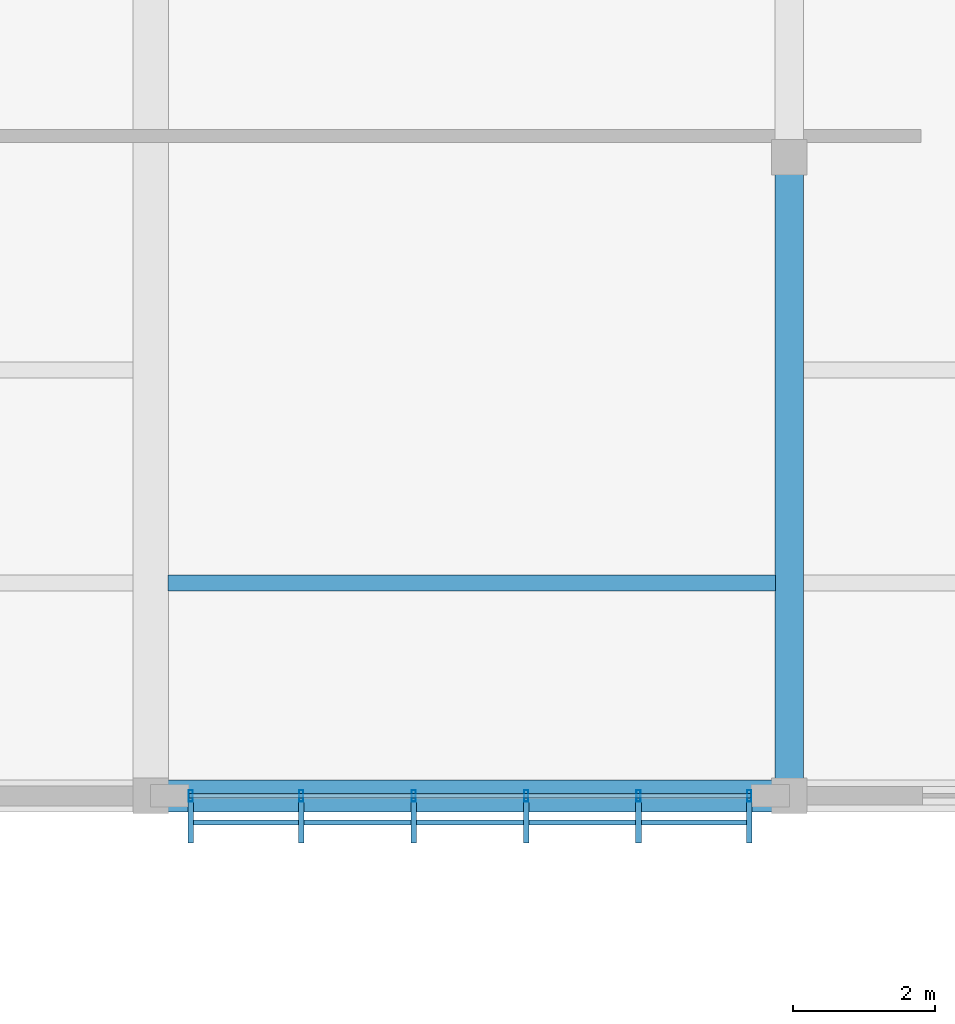
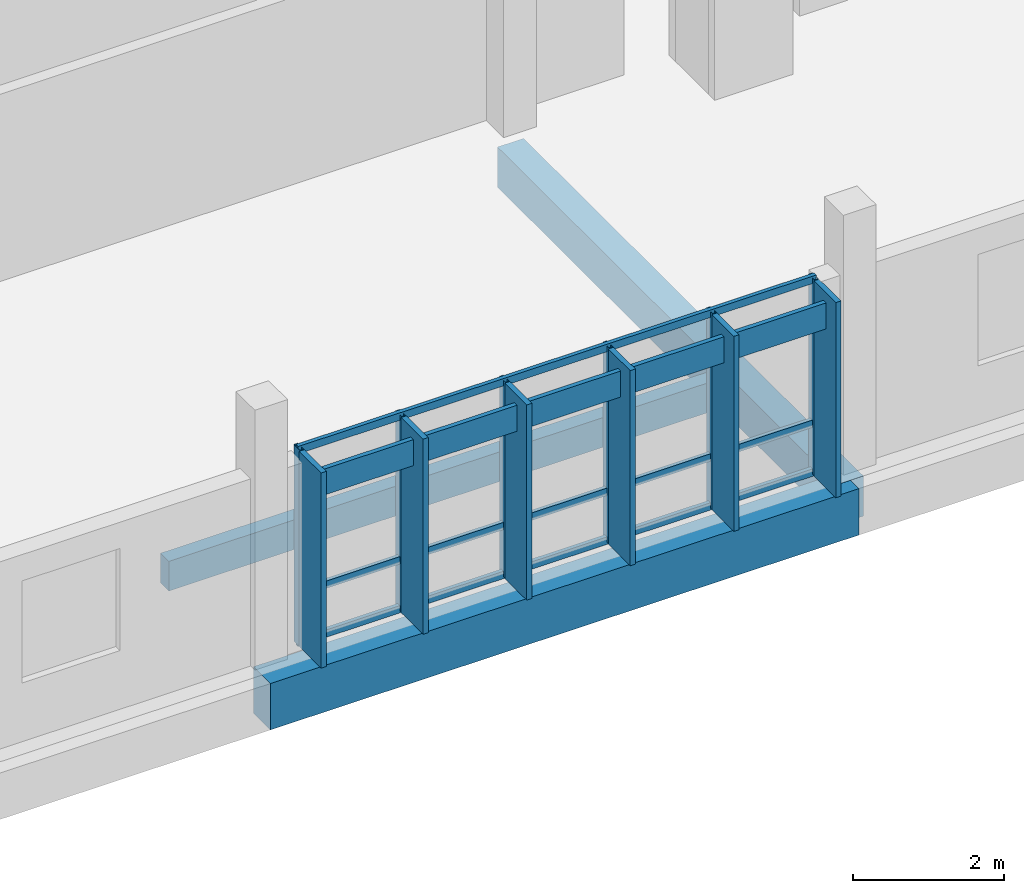
# One storey, part 85 of 182: 16 members, 3 beams, 1 element without a shape of its own.
"""IFC4 building model written with IfcOpenShell, lengths in metres."""

from ifc_helpers import new_model, si_unit, direction, frame, origin, origin_2d, place, context, subcontext, project, spatial, rectangle, hollow_rectangle, extrude, material, material_profile, profile_set, type_object, element, aggregate, save


model = new_model("IFC4")

# Units and contexts
model_context = context("Model", 3, precision=1e-05, world=origin(), true_north=direction((0.0, 1.0)))
body_context = subcontext(model_context, "Body", "Model", "MODEL_VIEW")
ifc_project = project(units=[si_unit("LENGTHUNIT", "METRE"), si_unit("AREAUNIT", "SQUARE_METRE"), si_unit("VOLUMEUNIT", "CUBIC_METRE"), si_unit("PLANEANGLEUNIT", "RADIAN"), si_unit("MASSUNIT", "GRAM", prefix="KILO")], contexts=[model_context])

# Site, building, storey
site_placement = place(None, origin())
site = spatial("IfcSite", under=ifc_project, at=site_placement, CompositionType="ELEMENT")
building_placement = place(site_placement, origin())
building = spatial("IfcBuilding", under=site, at=building_placement, Name="Chiffa Square Polytechnic", CompositionType="ELEMENT")
storey_placement = place(building_placement, frame((0.0, 0.0, 9.60009765625)))
storey = spatial("IfcBuildingStorey", under=building, at=storey_placement, Name="L02", CompositionType="ELEMENT", Elevation=9.60009765625)

# Beams
ifc_material_1 = material(Name="Concrete C35/45", Category="concrete")
ifc_material_profile_1 = material_profile(ifc_material_1, rectangle(XDim=0.39990234375, YDim=0.64990234375, at=origin_2d()), Name="RC 400x650")
ifc_profile_set_1 = profile_set([ifc_material_profile_1], Name="Concrete C35/45")
beam_type_1 = type_object("IfcBeamType", Name="BM-RC-400X650", PredefinedType="BEAM", material=ifc_profile_set_1)
beam_1_placement = place(storey_placement, frame((75.60009765625, 103.800048828125, -0.64501953125), z_axis=(0.0, 1.0, 0.0), x_axis=(-1.0, 0.0, 0.0)))
element("IfcBeam", 1, at=beam_1_placement, inside=storey, type_object=beam_type_1, Name="Primary floor girder BM-V5-L02-Y-0756-1038", PredefinedType="BEAM", context=body_context, shape_type="SweptSolid", body=[
    extrude(rectangle(XDim=0.39990234375, YDim=0.64990234375, at=origin_2d()), origin(), (0.0, 0.0, 1.0), 9.0),
])
ifc_material_profile_2 = material_profile(ifc_material_1, rectangle(XDim=0.449951171875, YDim=0.75, at=origin_2d()), Name="RC 450x750")
ifc_profile_set_2 = profile_set([ifc_material_profile_2], Name="Concrete C35/45")
beam_type_2 = type_object("IfcBeamType", Name="BM-RC-450X750", PredefinedType="BEAM", material=ifc_profile_set_2)
beam_2_placement = place(storey_placement, frame((66.60009765625, 103.800048828125, -0.695068359375), z_axis=(1.0, 0.0, 0.0), x_axis=(0.0, 1.0, 0.0)))
element("IfcBeam", 2, at=beam_2_placement, inside=storey, type_object=beam_type_2, Name="Primary floor girder BM-V5-L02-X-0666-1038", PredefinedType="BEAM", context=body_context, shape_type="SweptSolid", body=[
    extrude(rectangle(XDim=0.449951171875, YDim=0.75, at=origin_2d()), origin(), (0.0, 0.0, 1.0), 9.0),
])

# Curtain wall, members
ifc_material_2 = material(Name="Aluminium EN AW-6060 T66 and glulam shading", Category="wood")
curtain_wall_type = type_object("IfcCurtainWallType", Name="CW-VERT-360X380", PredefinedType="USERDEFINED", material=ifc_material_2)
curtain_wall_placement = place(storey_placement, origin())
curtain_wall = element("IfcCurtainWall", 3, at=curtain_wall_placement, inside=storey, type_object=curtain_wall_type, Name="Curtain wall CW-V5-L02-213", ObjectType="CURTAIN WALL", PredefinedType="USERDEFINED")
ifc_material_3 = material(Name="Aluminium EN AW-6060 T66", Category="aluminium")
ifc_material_profile_3 = material_profile(ifc_material_3, hollow_rectangle(XDim=0.06005859375, YDim=0.159912109375, WallThickness=0.00390625, at=origin_2d()), Name="ALU 60x160x4")
ifc_profile_set_3 = profile_set([ifc_material_profile_3], Name="Aluminium EN AW-6060 T66")
member_type_1 = type_object("IfcMemberType", Name="CWM-ALU-65X150", PredefinedType="MULLION", material=ifc_profile_set_3)
member_1_placement = place(storey_placement, frame((67.1650390625, 103.800048828125, 0.0), z_axis=(0.0, 0.0, 1.0), x_axis=(1.0, 0.0, 0.0)))
member_1 = element("IfcMember", 4, at=member_1_placement, type_object=member_type_1, Name="Curtain wall mullion CW-V5-L02-213-M00", PredefinedType="MULLION", context=body_context, shape_type="SweptSolid", body=[
    extrude(hollow_rectangle(XDim=0.06005859375, YDim=0.159912109375, WallThickness=0.00390625, at=origin_2d()), origin(), (0.0, 0.0, 1.0), 3.1748046875),
])
member_2_placement = place(storey_placement, frame((68.72412109375, 103.800048828125, 0.0), z_axis=(0.0, 0.0, 1.0), x_axis=(1.0, 0.0, 0.0)))
member_2 = element("IfcMember", 5, at=member_2_placement, type_object=member_type_1, Name="Curtain wall mullion CW-V5-L02-213-M01", PredefinedType="MULLION", context=body_context, shape_type="SweptSolid", body=[
    extrude(hollow_rectangle(XDim=0.06005859375, YDim=0.159912109375, WallThickness=0.00390625, at=origin_2d()), origin(), (0.0, 0.0, 1.0), 3.1748046875),
])
member_3_placement = place(storey_placement, frame((70.30810546875, 103.800048828125, 0.0), z_axis=(0.0, 0.0, 1.0), x_axis=(1.0, 0.0, 0.0)))
member_3 = element("IfcMember", 6, at=member_3_placement, type_object=member_type_1, Name="Curtain wall mullion CW-V5-L02-213-M02", PredefinedType="MULLION", context=body_context, shape_type="SweptSolid", body=[
    extrude(hollow_rectangle(XDim=0.06005859375, YDim=0.159912109375, WallThickness=0.00390625, at=origin_2d()), origin(), (0.0, 0.0, 1.0), 3.1748046875),
])
member_4_placement = place(storey_placement, frame((71.89208984375, 103.800048828125, 0.0), z_axis=(0.0, 0.0, 1.0), x_axis=(1.0, 0.0, 0.0)))
member_4 = element("IfcMember", 7, at=member_4_placement, type_object=member_type_1, Name="Curtain wall mullion CW-V5-L02-213-M03", PredefinedType="MULLION", context=body_context, shape_type="SweptSolid", body=[
    extrude(hollow_rectangle(XDim=0.06005859375, YDim=0.159912109375, WallThickness=0.00390625, at=origin_2d()), origin(), (0.0, 0.0, 1.0), 3.1748046875),
])
member_5_placement = place(storey_placement, frame((73.47607421875, 103.800048828125, 0.0), z_axis=(0.0, 0.0, 1.0), x_axis=(1.0, 0.0, 0.0)))
member_5 = element("IfcMember", 8, at=member_5_placement, type_object=member_type_1, Name="Curtain wall mullion CW-V5-L02-213-M04", PredefinedType="MULLION", context=body_context, shape_type="SweptSolid", body=[
    extrude(hollow_rectangle(XDim=0.06005859375, YDim=0.159912109375, WallThickness=0.00390625, at=origin_2d()), origin(), (0.0, 0.0, 1.0), 3.1748046875),
])
member_6_placement = place(storey_placement, frame((75.034912109375, 103.800048828125, 0.0), z_axis=(0.0, 0.0, 1.0), x_axis=(1.0, 0.0, 0.0)))
member_6 = element("IfcMember", 9, at=member_6_placement, type_object=member_type_1, Name="Curtain wall mullion CW-V5-L02-213-M05", PredefinedType="MULLION", context=body_context, shape_type="SweptSolid", body=[
    extrude(hollow_rectangle(XDim=0.06005859375, YDim=0.159912109375, WallThickness=0.00390625, at=origin_2d()), origin(), (0.0, 0.0, 1.0), 3.1748046875),
])
ifc_material_4 = material(Name="Glulam GL28h", Category="wood")
ifc_material_profile_4 = material_profile(ifc_material_4, rectangle(XDim=0.080078125, YDim=0.580078125, at=origin_2d()), Name="GL28h 80x580")
ifc_profile_set_4 = profile_set([ifc_material_profile_4], Name="Glulam GL28h")
member_type_2 = type_object("IfcMemberType", Name="CWM-GL-80X580", PredefinedType="MULLION", material=ifc_profile_set_4)
member_7_placement = place(storey_placement, frame((67.1650390625, 103.427978515625, 0.010009765625), z_axis=(0.0, 0.0, 1.0), x_axis=(1.0, 0.0, 0.0)))
member_7 = element("IfcMember", 10, at=member_7_placement, type_object=member_type_2, Name="Exterior glulam solar fin CW-V5-L02-213-FN00", PredefinedType="MULLION", context=body_context, shape_type="SweptSolid", body=[
    extrude(rectangle(XDim=0.080078125, YDim=0.580078125, at=origin_2d()), origin(), (0.0, 0.0, 1.0), 3.15478515625),
])
member_8_placement = place(storey_placement, frame((68.72412109375, 103.427978515625, 0.010009765625), z_axis=(0.0, 0.0, 1.0), x_axis=(1.0, 0.0, 0.0)))
member_8 = element("IfcMember", 11, at=member_8_placement, type_object=member_type_2, Name="Exterior glulam solar fin CW-V5-L02-213-FN01", PredefinedType="MULLION", context=body_context, shape_type="SweptSolid", body=[
    extrude(rectangle(XDim=0.080078125, YDim=0.580078125, at=origin_2d()), origin(), (0.0, 0.0, 1.0), 3.15478515625),
])
member_9_placement = place(storey_placement, frame((70.30810546875, 103.427978515625, 0.010009765625), z_axis=(0.0, 0.0, 1.0), x_axis=(1.0, 0.0, 0.0)))
member_9 = element("IfcMember", 12, at=member_9_placement, type_object=member_type_2, Name="Exterior glulam solar fin CW-V5-L02-213-FN02", PredefinedType="MULLION", context=body_context, shape_type="SweptSolid", body=[
    extrude(rectangle(XDim=0.080078125, YDim=0.580078125, at=origin_2d()), origin(), (0.0, 0.0, 1.0), 3.15478515625),
])
member_10_placement = place(storey_placement, frame((71.89208984375, 103.427978515625, 0.010009765625), z_axis=(0.0, 0.0, 1.0), x_axis=(1.0, 0.0, 0.0)))
member_10 = element("IfcMember", 13, at=member_10_placement, type_object=member_type_2, Name="Exterior glulam solar fin CW-V5-L02-213-FN03", PredefinedType="MULLION", context=body_context, shape_type="SweptSolid", body=[
    extrude(rectangle(XDim=0.080078125, YDim=0.580078125, at=origin_2d()), origin(), (0.0, 0.0, 1.0), 3.15478515625),
])
member_11_placement = place(storey_placement, frame((73.47607421875, 103.427978515625, 0.010009765625), z_axis=(0.0, 0.0, 1.0), x_axis=(1.0, 0.0, 0.0)))
member_11 = element("IfcMember", 14, at=member_11_placement, type_object=member_type_2, Name="Exterior glulam solar fin CW-V5-L02-213-FN04", PredefinedType="MULLION", context=body_context, shape_type="SweptSolid", body=[
    extrude(rectangle(XDim=0.080078125, YDim=0.580078125, at=origin_2d()), origin(), (0.0, 0.0, 1.0), 3.15478515625),
])
member_12_placement = place(storey_placement, frame((75.034912109375, 103.427978515625, 0.010009765625), z_axis=(0.0, 0.0, 1.0), x_axis=(1.0, 0.0, 0.0)))
member_12 = element("IfcMember", 15, at=member_12_placement, type_object=member_type_2, Name="Exterior glulam solar fin CW-V5-L02-213-FN05", PredefinedType="MULLION", context=body_context, shape_type="SweptSolid", body=[
    extrude(rectangle(XDim=0.080078125, YDim=0.580078125, at=origin_2d()), origin(), (0.0, 0.0, 1.0), 3.15478515625),
])
ifc_material_profile_5 = material_profile(ifc_material_3, hollow_rectangle(XDim=0.06005859375, YDim=0.1201171875, WallThickness=0.00390625, at=origin_2d()), Name="ALU 60x120x4")
ifc_profile_set_5 = profile_set([ifc_material_profile_5], Name="Aluminium EN AW-6060 T66")
member_type_3 = type_object("IfcMemberType", Name="CWT-ALU-65X120", PredefinedType="USERDEFINED", material=ifc_profile_set_5)
member_13_placement = place(storey_placement, frame((67.137939453125, 103.800048828125, 0.02978515625), z_axis=(1.0, 0.0, 0.0), x_axis=(0.0, 1.0, 0.0)))
member_13 = element("IfcMember", 16, at=member_13_placement, type_object=member_type_3, Name="Curtain wall transom CW-V5-L02-213-T01", ObjectType="TRANSOM", PredefinedType="USERDEFINED", context=body_context, shape_type="SweptSolid", body=[
    extrude(hollow_rectangle(XDim=0.06005859375, YDim=0.1201171875, WallThickness=0.00390625, at=origin_2d()), origin(), (0.0, 0.0, 1.0), 7.924072265625),
])
member_14_placement = place(storey_placement, frame((67.137939453125, 103.800048828125, 0.81982421875), z_axis=(1.0, 0.0, 0.0), x_axis=(0.0, 1.0, 0.0)))
member_14 = element("IfcMember", 17, at=member_14_placement, type_object=member_type_3, Name="Curtain wall transom CW-V5-L02-213-T02", ObjectType="TRANSOM", PredefinedType="USERDEFINED", context=body_context, shape_type="SweptSolid", body=[
    extrude(hollow_rectangle(XDim=0.06005859375, YDim=0.1201171875, WallThickness=0.00390625, at=origin_2d()), origin(), (0.0, 0.0, 1.0), 7.924072265625),
])
member_15_placement = place(storey_placement, frame((67.137939453125, 103.800048828125, 3.14501953125), z_axis=(1.0, 0.0, 0.0), x_axis=(0.0, 1.0, 0.0)))
member_15 = element("IfcMember", 18, at=member_15_placement, type_object=member_type_3, Name="Curtain wall transom CW-V5-L02-213-T03", ObjectType="TRANSOM", PredefinedType="USERDEFINED", context=body_context, shape_type="SweptSolid", body=[
    extrude(hollow_rectangle(XDim=0.06005859375, YDim=0.1201171875, WallThickness=0.00390625, at=origin_2d()), origin(), (0.0, 0.0, 1.0), 7.924072265625),
])
ifc_material_profile_6 = material_profile(ifc_material_4, rectangle(XDim=0.070068359375, YDim=0.419921875, at=origin_2d()), Name="GL28h 70x420")
ifc_profile_set_6 = profile_set([ifc_material_profile_6], Name="Glulam GL28h")
member_type_4 = type_object("IfcMemberType", Name="CWT-GL-70X420", PredefinedType="USERDEFINED", material=ifc_profile_set_6)
member_16_placement = place(storey_placement, frame((67.1650390625, 103.427978515625, 2.794921875), z_axis=(1.0, 0.0, 0.0), x_axis=(0.0, 1.0, 0.0)))
member_16 = element("IfcMember", 19, at=member_16_placement, type_object=member_type_4, Name="Exterior glulam brise-soleil CW-V5-L02-213-BS01", ObjectType="TRANSOM", PredefinedType="USERDEFINED", context=body_context, shape_type="SweptSolid", body=[
    extrude(rectangle(XDim=0.070068359375, YDim=0.419921875, at=origin_2d()), origin(), (0.0, 0.0, 1.0), 7.869873046875),
])
aggregate(curtain_wall, [member_1, member_7, member_2, member_8, member_3, member_9, member_4, member_10, member_5, member_11, member_6, member_12, member_13, member_14, member_15, member_16])

# Beam
ifc_material_profile_7 = material_profile(ifc_material_4, rectangle(XDim=0.219970703125, YDim=0.47998046875, at=origin_2d()), Name="GL28h 220x480")
ifc_profile_set_7 = profile_set([ifc_material_profile_7], Name="Glulam GL28h")
beam_type_3 = type_object("IfcBeamType", Name="JST-GL-220X480", PredefinedType="JOIST", material=ifc_profile_set_7)
beam_3_placement = place(storey_placement, frame((66.847900390625, 106.800048828125, -0.56005859375), z_axis=(1.0, 0.0, 0.0), x_axis=(0.0, 1.0, 0.0)))
element("IfcBeam", 20, at=beam_3_placement, inside=storey, type_object=beam_type_3, Name="Secondary floor joist JST-V5-L02-0666-1068", PredefinedType="JOIST", context=body_context, shape_type="SweptSolid", body=[
    extrude(rectangle(XDim=0.219970703125, YDim=0.47998046875, at=origin_2d()), origin(), (0.0, 0.0, 1.0), 8.55419921875),
])

save(model, "model.ifc")
